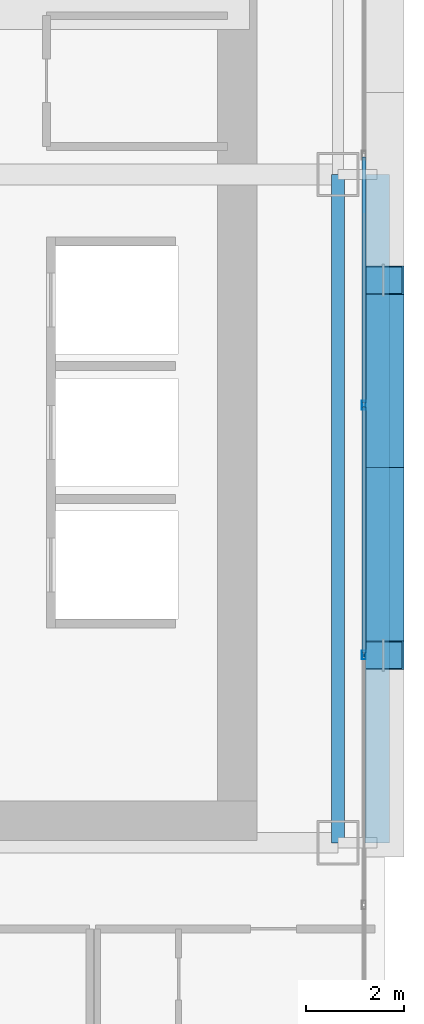
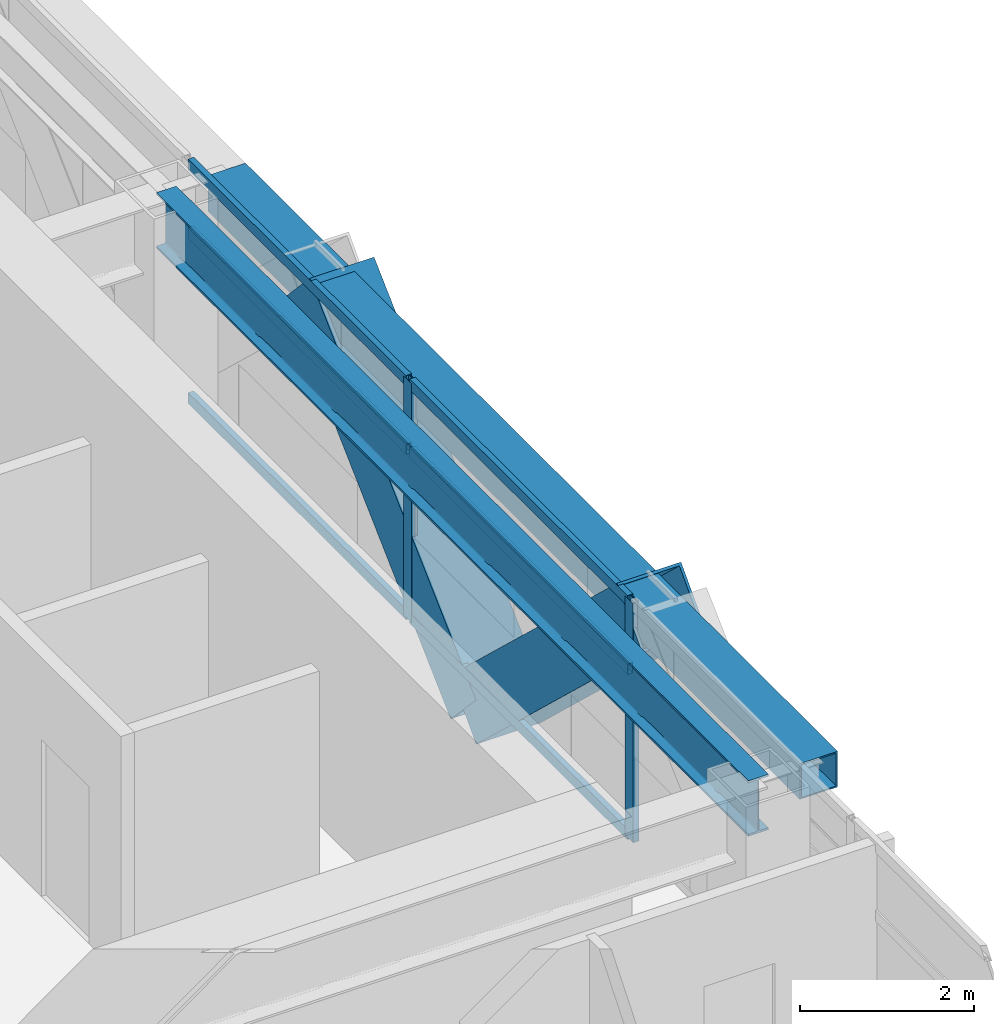
# One storey, part 13 of 35: 10 members, 2 beams, 1 element without a shape of its own.
"""IFC4 building model written with IfcOpenShell, lengths in metres."""

from ifc_helpers import new_model, si_unit, direction, frame, origin, origin_2d, place, context, subcontext, project, spatial, hollow_rectangle, i_section, extrude, source, transform, mapped, material, layer, layer_set, material_profile, profile_set, type_object, element, aggregate, save


model = new_model("IFC4")

# Units and contexts
model_context = context("Model", 3, precision=1e-05, world=origin(), true_north=direction((0.0, 1.0)))
body_context = subcontext(model_context, "Body", "Model", "MODEL_VIEW")
ifc_project = project(units=[si_unit("LENGTHUNIT", "METRE"), si_unit("AREAUNIT", "SQUARE_METRE"), si_unit("VOLUMEUNIT", "CUBIC_METRE"), si_unit("PLANEANGLEUNIT", "RADIAN"), si_unit("MASSUNIT", "GRAM", prefix="KILO")], contexts=[model_context])

# Site, building, storey
site_placement = place(None, origin())
site = spatial("IfcSite", under=ifc_project, at=site_placement, CompositionType="ELEMENT")
building_placement = place(site_placement, origin())
building = spatial("IfcBuilding", under=site, at=building_placement, Name="Ocotamira Hotel", CompositionType="ELEMENT")
storey_placement = place(building_placement, frame((0.0, 0.0, 49.199951171875)))
storey = spatial("IfcBuildingStorey", under=building, at=storey_placement, Name="L11", CompositionType="ELEMENT", Elevation=49.199951171875)

# Beams
ifc_material_1 = material(Name="Steel ASTM A992 Grade 50", Category="steel")
ifc_material_profile_1 = material_profile(ifc_material_1, i_section(OverallWidth=0.26611328125, OverallDepth=0.779052734375, WebThickness=0.0166015625, FlangeThickness=0.030029296875, FilletRadius=0.01806640625, at=origin_2d()), Name="W30X148")
ifc_profile_set_1 = profile_set([ifc_material_profile_1], Name="Steel ASTM A992 Grade 50")
beam_type_1 = type_object("IfcBeamType", Name="BM-GIRD-W30X148", PredefinedType="BEAM", material=ifc_profile_set_1)
shared_shape_1 = source(origin(), body_context, "Body", "SweptSolid", [
    extrude(i_section(OverallWidth=0.26611328125, OverallDepth=0.779052734375, WebThickness=0.0166015625, FlangeThickness=0.030029296875, FilletRadius=0.01806640625, at=origin_2d()), origin(), (0.0, 0.0, 1.0), 13.599853515625),
])
beam_1_placement = place(storey_placement, frame((55.050048828125, 14.550048828125, 2.96044921875), z_axis=(0.0, 1.0, 0.0), x_axis=(-1.0, 0.0, 0.0)))
element("IfcBeam", 1, at=beam_1_placement, inside=storey, type_object=beam_type_1, Name="L11 Beam X55.05 Y14.55-28.15", PredefinedType="BEAM", context=body_context, shape_type="MappedRepresentation", body=[
    mapped(shared_shape_1, transform((0.0, 0.0, 0.0), scale=1.0)),
])
ifc_material_2 = material(Name="Steel ASTM A500 Grade C", Category="steel")
ifc_material_profile_2 = material_profile(ifc_material_2, hollow_rectangle(XDim=0.5, YDim=0.5, WallThickness=0.02001953125, at=origin_2d()), Name="HSS500X500X20")
ifc_profile_set_2 = profile_set([ifc_material_profile_2], Name="Steel ASTM A500 Grade C")
beam_type_2 = type_object("IfcBeamType", Name="BM-SPAN-HSS500", PredefinedType="USERDEFINED", material=ifc_profile_set_2)
shared_shape_2 = source(origin(), body_context, "Body", "SweptSolid", [
    extrude(hollow_rectangle(XDim=0.5, YDim=0.5, WallThickness=0.02001953125, at=origin_2d()), origin(), (0.0, 0.0, 1.0), 13.599853515625),
])
beam_2_placement = place(storey_placement, frame((55.85009765625, 14.550048828125, 3.10009765625), z_axis=(0.0, 1.0, 0.0), x_axis=(-1.0, 0.0, 0.0)))
element("IfcBeam", 2, at=beam_2_placement, inside=storey, type_object=beam_type_2, Name="L11 Edge Spandrel E Y14.55-28.15", ObjectType="SPANDREL", PredefinedType="USERDEFINED", context=body_context, shape_type="MappedRepresentation", body=[
    mapped(shared_shape_2, transform((0.0, 0.0, 0.0), scale=1.0)),
])

# Members
ifc_material_3 = material(Name="Pale-metal coated steel ASTM A913 Grade 65", Category="steel")
ifc_material_profile_3 = material_profile(ifc_material_3, hollow_rectangle(XDim=0.85009765625, YDim=0.85009765625, WallThickness=0.035888671875, at=origin_2d()), Name="BOX850X850X36")
ifc_profile_set_3 = profile_set([ifc_material_profile_3], Name="Pale-metal coated steel ASTM A913 Grade 65")
member_type_1 = type_object("IfcMemberType", Name="MEM-EXO-BOX850", PredefinedType="BRACE", material=ifc_profile_set_3)
shared_shape_3 = source(origin(), body_context, "Body", "SweptSolid", [
    extrude(hollow_rectangle(XDim=0.85009765625, YDim=0.85009765625, WallThickness=0.035888671875, at=origin_2d()), origin(), (0.0, 0.0, 1.0), 5.24658203125),
])
for number, where, z_axis, x_axis, name in (
    (3, (55.969970703125, 22.183349609375, -0.5), (0.0, -0.727442733726, 0.686168397078), (1.0, 0.0, 0.0), "L11 Exoskeleton Diagrid E0.2"),
    (4, (55.969970703125, 22.183349609375, -0.5), (0.0, 0.727442733726, 0.686168397078), (-1.0, 0.0, 0.0), "L11 Exoskeleton Diagrid E1.1"),
):
    element("IfcMember", number, at=place(storey_placement, frame(where, z_axis=z_axis, x_axis=x_axis)), inside=storey, type_object=member_type_1, Name=name, PredefinedType="BRACE", context=body_context, shape_type="MappedRepresentation", body=[
        mapped(shared_shape_3, transform((0.0, 0.0, 0.0), scale=1.0)),
    ])

# Curtain wall, members
ifc_material_4 = material(Name="Anodised pale-metal aluminium and solar glass", Category="aluminium")
ifc_layer = layer(ifc_material_4, 0.179931640625)
ifc_layer_set = layer_set([ifc_layer], Name="Anodised pale-metal aluminium and solar glass")
curtain_wall_type = type_object("IfcCurtainWallType", Name="CW-SYS2-Z1", PredefinedType="NOTDEFINED", material=ifc_layer_set)
curtain_wall_placement = place(storey_placement, origin())
curtain_wall = element("IfcCurtainWall", 5, at=curtain_wall_placement, inside=storey, type_object=curtain_wall_type, Name="L11 Curtain Wall CW-2 CW-L11-E", PredefinedType="NOTDEFINED")
ifc_material_5 = material(Name="Anodised pale-metal aluminium 6063-T6", Category="aluminium")
ifc_material_profile_4 = material_profile(ifc_material_5, hollow_rectangle(XDim=0.074951171875, YDim=0.14990234375, WallThickness=0.006103515625, at=origin_2d()), Name="HSS150X75X6")
ifc_profile_set_4 = profile_set([ifc_material_profile_4], Name="Anodised pale-metal aluminium 6063-T6")
member_type_2 = type_object("IfcMemberType", Name="CWT-150X75", PredefinedType="USERDEFINED", material=ifc_profile_set_4)
shared_shape_4 = source(origin(), body_context, "Body", "SweptSolid", [
    extrude(hollow_rectangle(XDim=0.074951171875, YDim=0.14990234375, WallThickness=0.006103515625, at=origin_2d()), origin(), (0.0, 0.0, 1.0), 5.005859375),
])
member_1_placement = place(storey_placement, frame((55.580078125, 18.411376953125, 0.03759765625), z_axis=(0.0, 1.0, 0.0), x_axis=(-1.0, 0.0, 0.0)))
member_1 = element("IfcMember", 6, at=member_1_placement, type_object=member_type_2, Name="CW-2 transom 3.1", ObjectType="TRANSOM", PredefinedType="USERDEFINED", context=body_context, shape_type="MappedRepresentation", body=[
    mapped(shared_shape_4, transform((0.0, 0.0, 0.0), scale=1.0)),
])
member_2_placement = place(storey_placement, frame((55.580078125, 18.411376953125, 2.35009765625), z_axis=(0.0, 1.0, 0.0), x_axis=(-1.0, 0.0, 0.0)))
member_2 = element("IfcMember", 7, at=member_2_placement, type_object=member_type_2, Name="CW-2 transom 3.2", ObjectType="TRANSOM", PredefinedType="USERDEFINED", context=body_context, shape_type="MappedRepresentation", body=[
    mapped(shared_shape_4, transform((0.0, 0.0, 0.0), scale=1.0)),
])
member_3_placement = place(storey_placement, frame((55.580078125, 18.411376953125, 3.3125), z_axis=(0.0, 1.0, 0.0), x_axis=(-1.0, 0.0, 0.0)))
member_3 = element("IfcMember", 8, at=member_3_placement, type_object=member_type_2, Name="CW-2 transom 3.3", ObjectType="TRANSOM", PredefinedType="USERDEFINED", context=body_context, shape_type="MappedRepresentation", body=[
    mapped(shared_shape_4, transform((0.0, 0.0, 0.0), scale=1.0)),
])
member_4_placement = place(storey_placement, frame((55.580078125, 23.4970703125, 0.03759765625), z_axis=(0.0, 1.0, 0.0), x_axis=(-1.0, 0.0, 0.0)))
member_4 = element("IfcMember", 9, at=member_4_placement, type_object=member_type_2, Name="CW-2 transom 4.1", ObjectType="TRANSOM", PredefinedType="USERDEFINED", context=body_context, shape_type="MappedRepresentation", body=[
    mapped(shared_shape_4, transform((0.0, 0.0, 0.0), scale=1.0)),
])
member_5_placement = place(storey_placement, frame((55.580078125, 23.4970703125, 2.35009765625), z_axis=(0.0, 1.0, 0.0), x_axis=(-1.0, 0.0, 0.0)))
member_5 = element("IfcMember", 10, at=member_5_placement, type_object=member_type_2, Name="CW-2 transom 4.2", ObjectType="TRANSOM", PredefinedType="USERDEFINED", context=body_context, shape_type="MappedRepresentation", body=[
    mapped(shared_shape_4, transform((0.0, 0.0, 0.0), scale=1.0)),
])
member_6_placement = place(storey_placement, frame((55.580078125, 23.4970703125, 3.3125), z_axis=(0.0, 1.0, 0.0), x_axis=(-1.0, 0.0, 0.0)))
member_6 = element("IfcMember", 11, at=member_6_placement, type_object=member_type_2, Name="CW-2 transom 4.3", ObjectType="TRANSOM", PredefinedType="USERDEFINED", context=body_context, shape_type="MappedRepresentation", body=[
    mapped(shared_shape_4, transform((0.0, 0.0, 0.0), scale=1.0)),
])
ifc_material_profile_5 = material_profile(ifc_material_5, hollow_rectangle(XDim=0.080078125, YDim=0.179931640625, WallThickness=0.006103515625, at=origin_2d()), Name="HSS180X80X6")
ifc_profile_set_5 = profile_set([ifc_material_profile_5], Name="Anodised pale-metal aluminium 6063-T6")
member_type_3 = type_object("IfcMemberType", Name="CWM-180X75", PredefinedType="MULLION", material=ifc_profile_set_5)
shared_shape_5 = source(origin(), body_context, "Body", "SweptSolid", [
    extrude(hollow_rectangle(XDim=0.080078125, YDim=0.179931640625, WallThickness=0.006103515625, at=origin_2d()), origin(), (0.0, 0.0, 1.0), 3.35009765625),
])
member_7_placement = place(storey_placement, frame((55.580078125, 18.371337890625, 0.0), z_axis=(0.0, 0.0, 1.0), x_axis=(-1.0, 0.0, 0.0)))
member_7 = element("IfcMember", 12, at=member_7_placement, type_object=member_type_3, Name="CW-2 mullion 3", PredefinedType="MULLION", context=body_context, shape_type="MappedRepresentation", body=[
    mapped(shared_shape_5, transform((0.0, 0.0, 0.0), scale=1.0)),
])
member_8_placement = place(storey_placement, frame((55.580078125, 23.45703125, 0.0), z_axis=(0.0, 0.0, 1.0), x_axis=(-1.0, 0.0, 0.0)))
member_8 = element("IfcMember", 13, at=member_8_placement, type_object=member_type_3, Name="CW-2 mullion 4", PredefinedType="MULLION", context=body_context, shape_type="MappedRepresentation", body=[
    mapped(shared_shape_5, transform((0.0, 0.0, 0.0), scale=1.0)),
])
aggregate(curtain_wall, [member_7, member_8, member_1, member_2, member_3, member_4, member_5, member_6])

save(model, "model.ifc")
